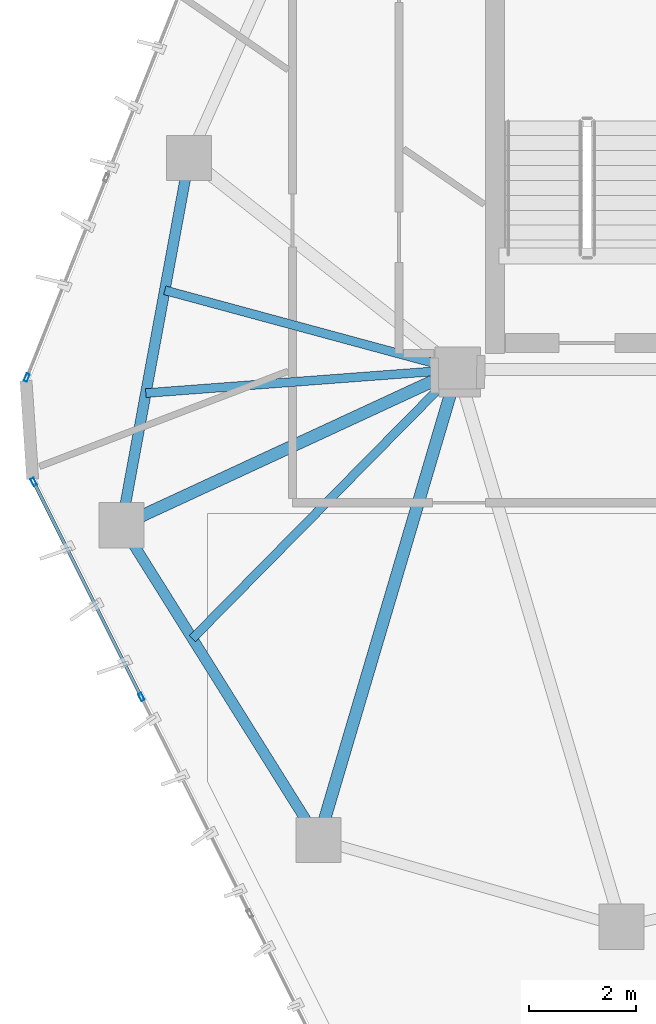
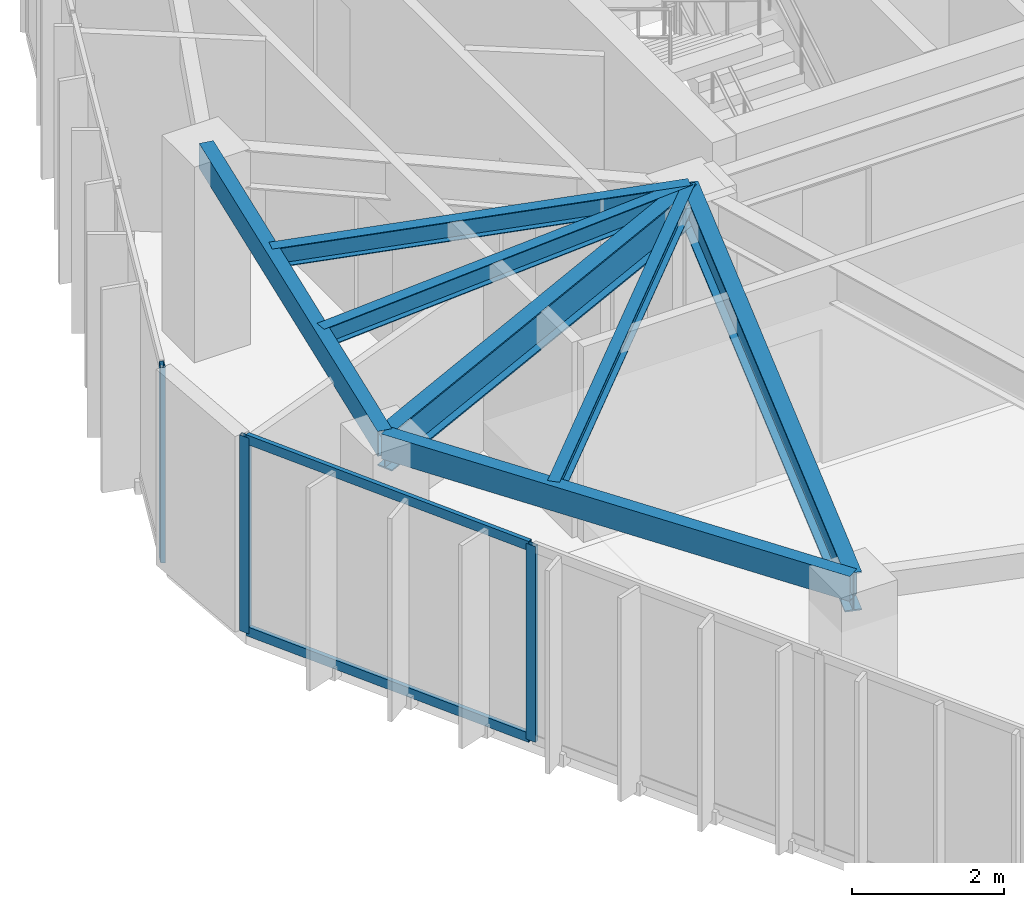
# One storey, part 4 of 21: 7 beams, 5 members, 2 elements without a shape of their own.
"""IFC4 building model written with IfcOpenShell, lengths in metres."""

from ifc_helpers import new_model, si_unit, direction, frame, origin, origin_2d, place, context, subcontext, project, spatial, hollow_rectangle, i_section, extrude, source, transform, mapped, material, layer, layer_set, material_profile, profile_set, type_object, type_shapes, element, aggregate, save


model = new_model("IFC4")

# Units and contexts
model_context = context("Model", 3, precision=1e-05, world=origin(), true_north=direction((0.0, 1.0)))
body_context = subcontext(model_context, "Body", "Model", "MODEL_VIEW")
ifc_project = project(units=[si_unit("LENGTHUNIT", "METRE"), si_unit("AREAUNIT", "SQUARE_METRE"), si_unit("VOLUMEUNIT", "CUBIC_METRE"), si_unit("PLANEANGLEUNIT", "RADIAN"), si_unit("MASSUNIT", "GRAM", prefix="KILO")], contexts=[model_context])

# Site, building, storey
site_placement = place(None, origin())
site = spatial("IfcSite", under=ifc_project, at=site_placement, CompositionType="ELEMENT")
building_placement = place(site_placement, origin())
building = spatial("IfcBuilding", under=site, at=building_placement, Name="Talar Marvaseh", CompositionType="ELEMENT")
storey_placement = place(building_placement, frame((0.0, 0.0, 271.39990234375)))
storey = spatial("IfcBuildingStorey", under=building, at=storey_placement, Name="L72", CompositionType="ELEMENT", Elevation=271.39990234375)

# Beams
ifc_material_1 = material(Name="Steel S355", Category="steel")
ifc_material_profile_1 = material_profile(ifc_material_1, hollow_rectangle(XDim=0.199951171875, YDim=0.39990234375, WallThickness=0.013916015625, at=origin_2d()), Name="RHS400x200x14")
ifc_profile_set_1 = profile_set([ifc_material_profile_1], Name="Steel S355")
beam_type_1 = type_object("IfcBeamType", Name="Zone 3 Perimeter Spandrel Beam RHS400x200x14", PredefinedType="SPANDREL", material=ifc_profile_set_1)
beam_1_placement = place(storey_placement, frame((12.388916015625, 22.576904296875, 2.940185546875), z_axis=(0.18106135948, 0.983471801377, 0.0), x_axis=(-0.983471801377, 0.18106135948, 0.0)))
element("IfcBeam", 1, at=beam_1_placement, inside=storey, type_object=beam_type_1, Name="L72 Zone 3 Perimeter Spandrel Beam RHS400x200x14", PredefinedType="SPANDREL", context=body_context, shape_type="SweptSolid", body=[
    extrude(hollow_rectangle(XDim=0.199951171875, YDim=0.39990234375, WallThickness=0.013916015625, at=origin_2d()), origin(), (0.0, 0.0, 1.0), 7.0087890625),
])
beam_2_placement = place(storey_placement, frame((16.0869140625, 16.66796875, 2.940185546875), z_axis=(-0.530505706813, 0.847681364098, 0.0), x_axis=(-0.847681364098, -0.530505706813, 0.0)))
element("IfcBeam", 2, at=beam_2_placement, inside=storey, type_object=beam_type_1, Name="L72 Zone 3 Perimeter Spandrel Beam RHS400x200x14", PredefinedType="SPANDREL", context=body_context, shape_type="SweptSolid", body=[
    extrude(hollow_rectangle(XDim=0.199951171875, YDim=0.39990234375, WallThickness=0.013916015625, at=origin_2d()), origin(), (0.0, 0.0, 1.0), 6.970703125),
])
ifc_material_profile_2 = material_profile(ifc_material_1, i_section(OverallWidth=0.166015625, OverallDepth=0.31298828125, WebThickness=0.006591796875, FlangeThickness=0.01123046875, at=origin_2d()), Name="W310x45")
ifc_profile_set_2 = profile_set([ifc_material_profile_2], Name="Steel S355")
beam_type_2 = type_object("IfcBeamType", Name="Zone 3 Secondary Floor Joist W310x45", PredefinedType="JOIST", material=ifc_profile_set_2)
beam_3_placement = place(storey_placement, frame((12.845703125, 25.05859375, 2.983642578125), z_axis=(0.997169535009, 0.075185892627, 0.0), x_axis=(-0.075185892627, 0.997169535009, 0.0)))
element("IfcBeam", 3, at=beam_3_placement, inside=storey, type_object=beam_type_2, Name="L72 Zone 3 Secondary Floor Joist W310x45", PredefinedType="JOIST", context=body_context, shape_type="SweptSolid", body=[
    extrude(i_section(OverallWidth=0.166015625, OverallDepth=0.31298828125, WebThickness=0.006591796875, FlangeThickness=0.01123046875, at=origin_2d()), origin(), (0.0, 0.0, 1.0), 5.870849609375),
])
beam_4_placement = place(storey_placement, frame((13.201171875, 26.988525390625, 2.983642578125), z_axis=(0.965258580671, -0.26129652206, 0.0), x_axis=(0.26129652206, 0.965258580671, 0.0)))
element("IfcBeam", 4, at=beam_4_placement, inside=storey, type_object=beam_type_2, Name="L72 Zone 3 Secondary Floor Joist W310x45", PredefinedType="JOIST", context=body_context, shape_type="SweptSolid", body=[
    extrude(i_section(OverallWidth=0.166015625, OverallDepth=0.31298828125, WebThickness=0.006591796875, FlangeThickness=0.01123046875, at=origin_2d()), origin(), (0.0, 0.0, 1.0), 5.69677734375),
])
beam_5_placement = place(storey_placement, frame((13.72021484375, 20.44970703125, 2.983642578125), z_axis=(0.702115238584, 0.712063334085, 0.0), x_axis=(-0.712063334085, 0.702115238584, 0.0)))
element("IfcBeam", 5, at=beam_5_placement, inside=storey, type_object=beam_type_2, Name="L72 Zone 3 Secondary Floor Joist W310x45", PredefinedType="JOIST", context=body_context, shape_type="SweptSolid", body=[
    extrude(i_section(OverallWidth=0.166015625, OverallDepth=0.31298828125, WebThickness=0.006591796875, FlangeThickness=0.01123046875, at=origin_2d()), origin(), (0.0, 0.0, 1.0), 7.092529296875),
])
ifc_material_profile_3 = material_profile(ifc_material_1, i_section(OverallWidth=0.22998046875, OverallDepth=0.616943359375, WebThickness=0.01318359375, FlangeThickness=0.022216796875, at=origin_2d()), Name="W610x140")
ifc_profile_set_3 = profile_set([ifc_material_profile_3], Name="Steel S355")
beam_type_3 = type_object("IfcBeamType", Name="Zone 4 Radial Floor Girder W610x140", PredefinedType="BEAM", material=ifc_profile_set_3)
beam_6_placement = place(storey_placement, frame((12.388916015625, 22.576904296875, 2.83154296875), z_axis=(0.907394527995, 0.420279871709, 0.0), x_axis=(-0.420279871709, 0.907394527995, 0.0)))
element("IfcBeam", 6, at=beam_6_placement, inside=storey, type_object=beam_type_3, Name="L72 Zone 4 Radial Floor Girder W610x140", PredefinedType="BEAM", context=body_context, shape_type="SweptSolid", body=[
    extrude(i_section(OverallWidth=0.22998046875, OverallDepth=0.616943359375, WebThickness=0.01318359375, FlangeThickness=0.022216796875, at=origin_2d()), origin(), (0.0, 0.0, 1.0), 6.955078125),
])
beam_7_placement = place(storey_placement, frame((16.0869140625, 16.66796875, 2.83154296875), z_axis=(0.283702937759, 0.958912218666, 0.0), x_axis=(-0.958912218666, 0.283702937759, 0.0)))
element("IfcBeam", 7, at=beam_7_placement, inside=storey, type_object=beam_type_3, Name="L72 Zone 4 Radial Floor Girder W610x140", PredefinedType="BEAM", context=body_context, shape_type="SweptSolid", body=[
    extrude(i_section(OverallWidth=0.22998046875, OverallDepth=0.616943359375, WebThickness=0.01318359375, FlangeThickness=0.022216796875, at=origin_2d()), origin(), (0.0, 0.0, 1.0), 9.21044921875),
])

# Curtain wall, members
ifc_material_2 = material(Name="Architectural Aluminium", Category="aluminium")
ifc_layer = layer(ifc_material_2, 0.179931640625)
ifc_layer_set = layer_set([ifc_layer], Name="Architectural Aluminium")
curtain_wall_type = type_object("IfcCurtainWallType", Name="Unitised High-Wind Sky Curtain Wall Z4", PredefinedType="NOTDEFINED", material=ifc_layer_set)
curtain_wall_1_placement = place(storey_placement, origin())
curtain_wall_1 = element("IfcCurtainWall", 8, at=curtain_wall_1_placement, inside=storey, type_object=curtain_wall_type, Name="L72 Unitised High-Wind Sky Curtain Wall Z4", PredefinedType="NOTDEFINED")
ifc_material_profile_4 = material_profile(ifc_material_2, hollow_rectangle(XDim=0.06494140625, YDim=0.14990234375, WallThickness=0.00390625, at=origin_2d()), Name="RHS150x65x4")
ifc_profile_set_4 = profile_set([ifc_material_profile_4], Name="Architectural Aluminium")
member_type_1 = type_object("IfcMemberType", Name="Unitised Curtain Wall Slim Transom RHS150x65x4", PredefinedType="USERDEFINED", material=ifc_profile_set_4)
shared_shape_1 = source(origin(), body_context, "Body", "SweptSolid", [
    extrude(hollow_rectangle(XDim=0.06494140625, YDim=0.14990234375, WallThickness=0.00390625, at=origin_2d()), origin(), (0.0, 0.0, 1.0), 4.447509765625),
])
type_shapes(member_type_1, [shared_shape_1])
member_1_placement = place(storey_placement, frame((12.747802734375, 19.383056640625, 0.03271484375), z_axis=(-0.447718552494, 0.894174534279, 0.0), x_axis=(-0.894174534279, -0.447718552494, 0.0)))
member_1 = element("IfcMember", 9, at=member_1_placement, type_object=member_type_1, Name="CW-Z4 transom 3.1", ObjectType="TRANSOM", PredefinedType="USERDEFINED", context=body_context, shape_type="MappedRepresentation", body=[
    mapped(shared_shape_1, transform((0.0, 0.0, 0.0), x_axis=(1.0, 0.0, 0.0), y_axis=(0.0, 1.0, 0.0), z_axis=(0.0, 0.0, 1.0), scale=1.0)),
])
member_2_placement = place(storey_placement, frame((12.747802734375, 19.383056640625, 3.107666015625), z_axis=(-0.447718552494, 0.894174534279, 0.0), x_axis=(-0.894174534279, -0.447718552494, 0.0)))
member_2 = element("IfcMember", 10, at=member_2_placement, type_object=member_type_1, Name="CW-Z4 transom 3.2", ObjectType="TRANSOM", PredefinedType="USERDEFINED", context=body_context, shape_type="MappedRepresentation", body=[
    mapped(shared_shape_1, transform((0.0, 0.0, 0.0), x_axis=(1.0, 0.0, 0.0), y_axis=(0.0, 1.0, 0.0), z_axis=(0.0, 0.0, 1.0), scale=1.0)),
])
ifc_material_profile_5 = material_profile(ifc_material_2, hollow_rectangle(XDim=0.06494140625, YDim=0.14990234375, WallThickness=0.00390625, at=origin_2d()), Name="RHS150x65x4")
ifc_profile_set_5 = profile_set([ifc_material_profile_5], Name="Architectural Aluminium")
member_type_2 = type_object("IfcMemberType", Name="Unitised Curtain Wall Slim Mullion RHS150x65x4", PredefinedType="MULLION", material=ifc_profile_set_5)
shared_shape_2 = source(origin(), body_context, "Body", "SweptSolid", [
    extrude(hollow_rectangle(XDim=0.06494140625, YDim=0.14990234375, WallThickness=0.00390625, at=origin_2d()), origin(), (0.0, 0.0, 1.0), 3.14013671875),
])
type_shapes(member_type_2, [shared_shape_2])
member_3_placement = place(storey_placement, frame((12.76220703125, 19.35400390625, 0.0), z_axis=(0.0, 0.0, 1.0), x_axis=(-0.894186499617, -0.447694654763, 0.0)))
member_3 = element("IfcMember", 11, at=member_3_placement, type_object=member_type_2, Name="CW-Z4 mullion 3", PredefinedType="MULLION", context=body_context, shape_type="MappedRepresentation", body=[
    mapped(shared_shape_2, transform((0.0, 0.0, 0.0), x_axis=(1.0, 0.0, 0.0), y_axis=(0.0, 1.0, 0.0), z_axis=(0.0, 0.0, 1.0), scale=1.0)),
])
member_4_placement = place(storey_placement, frame((10.741943359375, 23.38916015625, 0.0), z_axis=(0.0, 0.0, 1.0), x_axis=(-0.894186499617, -0.447694654763, 0.0)))
member_4 = element("IfcMember", 12, at=member_4_placement, type_object=member_type_2, Name="CW-Z4 mullion 4", PredefinedType="MULLION", context=body_context, shape_type="MappedRepresentation", body=[
    mapped(shared_shape_2, transform((0.0, 0.0, 0.0), x_axis=(1.0, 0.0, 0.0), y_axis=(0.0, 1.0, 0.0), z_axis=(0.0, 0.0, 1.0), scale=1.0)),
])
aggregate(curtain_wall_1, [member_3, member_4, member_1, member_2])

# Curtain wall, member
curtain_wall_2_placement = place(storey_placement, origin())
curtain_wall_2 = element("IfcCurtainWall", 13, at=curtain_wall_2_placement, inside=storey, type_object=curtain_wall_type, Name="L72 Unitised High-Wind Sky Curtain Wall Z4", PredefinedType="NOTDEFINED")
member_5_placement = place(storey_placement, frame((10.61181640625, 25.349609375, 0.0), z_axis=(0.0, 0.0, 1.0), x_axis=(-0.929250430647, 0.369450452893, 0.0)))
member_5 = element("IfcMember", 14, at=member_5_placement, type_object=member_type_2, Name="CW-Z4 mullion 1", PredefinedType="MULLION", context=body_context, shape_type="MappedRepresentation", body=[
    mapped(shared_shape_2, transform((0.0, 0.0, 0.0), x_axis=(1.0, 0.0, 0.0), y_axis=(0.0, 1.0, 0.0), z_axis=(0.0, 0.0, 1.0), scale=1.0)),
])
aggregate(curtain_wall_2, [member_5])

save(model, "model.ifc")
